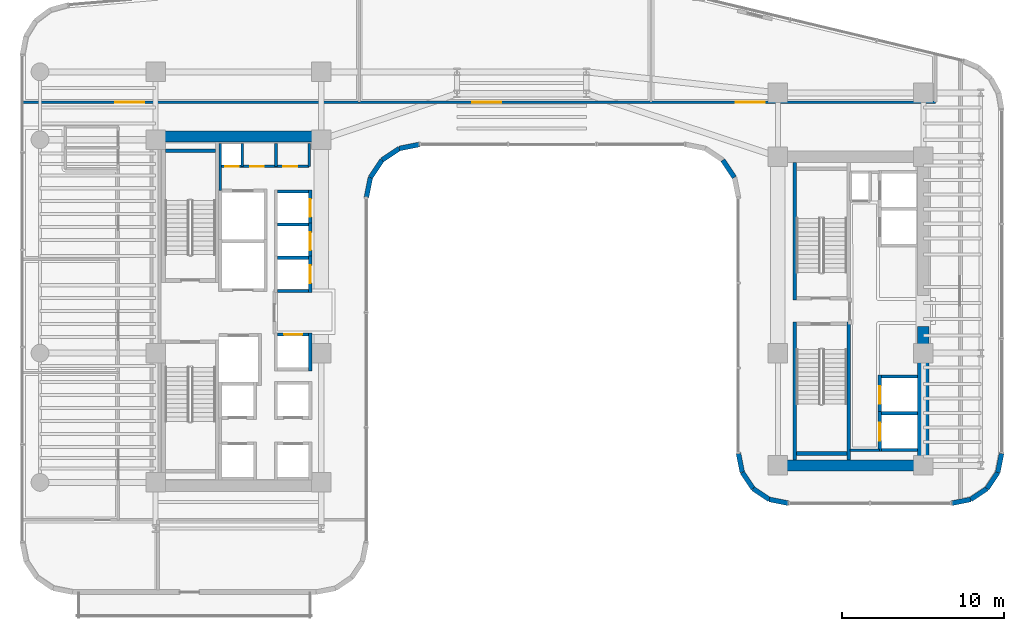
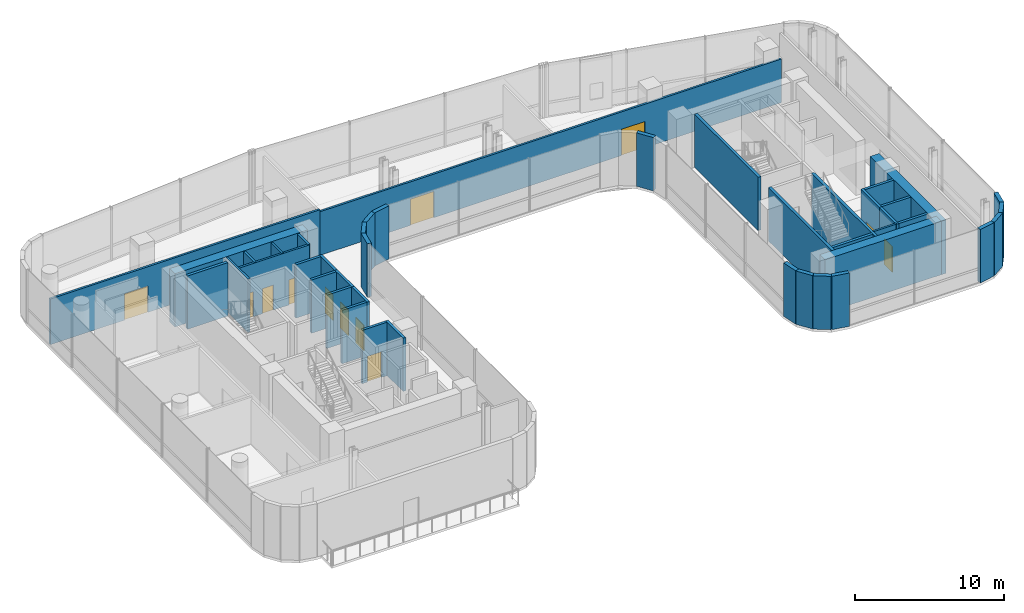
# One storey, part 26 of 32: 43 walls, 12 doors, 12 openings.
"""IFC4 building model written with IfcOpenShell, lengths in metres."""

from ifc_helpers import new_model, si_unit, direction, frame, frame_2d, origin, place, context, subcontext, project, spatial, rectangle, extrude, material, layer, layer_set, type_object, element, fill, save


model = new_model("IFC4")

# Units and contexts
model_context = context("Model", 3, precision=1e-05, world=origin(), true_north=direction((0.0, 1.0)))
body_context = subcontext(model_context, "Body", "Model", "MODEL_VIEW")
ifc_project = project(units=[si_unit("LENGTHUNIT", "METRE"), si_unit("AREAUNIT", "SQUARE_METRE"), si_unit("VOLUMEUNIT", "CUBIC_METRE"), si_unit("PLANEANGLEUNIT", "RADIAN"), si_unit("MASSUNIT", "GRAM", prefix="KILO")], contexts=[model_context])

# Site, building, storey
site_placement = place(None, origin())
site = spatial("IfcSite", under=ifc_project, at=site_placement, CompositionType="ELEMENT")
building_placement = place(site_placement, origin())
building = spatial("IfcBuilding", under=site, at=building_placement, Name="Valdorenza Pilgrim Sanctuary Tower", CompositionType="ELEMENT")
storey_placement = place(building_placement, frame((0.0, 0.0, 101.10009765625)))
storey = spatial("IfcBuildingStorey", under=building, at=storey_placement, Name="L25", CompositionType="ELEMENT", Elevation=101.10009765625)

# Wall
ifc_material_1 = material(Name="Acoustic twin-stud gypsum partition", Category="gypsum")
ifc_layer_1 = layer(ifc_material_1, 0.159912109375, Name="Acoustic twin-stud gypsum partition")
ifc_layer_set_1 = layer_set([ifc_layer_1], Name="Acoustic twin-stud gypsum partition")
wall_type_1 = type_object("IfcWallType", Name="WAL-COR-160", PredefinedType="PARTITIONING", material=ifc_layer_set_1)
wall_1_placement = place(storey_placement, frame((-18.64990234375, 7.449951171875, 0.0), z_axis=(0.0, 0.0, 1.0), x_axis=(0.0, 1.0, 0.0)))
element("IfcWall", 1, at=wall_1_placement, inside=storey, type_object=wall_type_1, Name="L25 Core A North Service West Wall", PredefinedType="PARTITIONING", context=body_context, shape_type="SweptSolid", body=[
    extrude(rectangle(XDim=2.929931640625, YDim=0.159912109375, at=frame_2d((1.46484375, 0.0))), origin(), (0.0, 0.0, 1.0), 4.35986328125),
])

# Wall, openings, doors
wall_2_placement = place(storey_placement, frame((-18.64990234375, 8.949951171875, 0.0), z_axis=(0.0, 0.0, 1.0), x_axis=(1.0, 0.0, 0.0)))
wall_2 = element("IfcWall", 2, at=wall_2_placement, inside=storey, type_object=wall_type_1, Name="L25 Core A North Service South Wall", PredefinedType="PARTITIONING", context=body_context, shape_type="SweptSolid", body=[
    extrude(rectangle(XDim=5.5, YDim=0.159912109375, at=frame_2d((2.75, 0.0))), origin(), (0.0, 0.0, 1.0), 4.35986328125),
])
opening_1_placement = place(wall_2_placement, frame((0.300048828125, 0.0, 0.0)))
opening_1 = element("IfcOpeningElement", 3, at=opening_1_placement, cuts=wall_2, Name="Opening DR-RS1", PredefinedType="OPENING", context=body_context, shape_type="SweptSolid", body=[
    extrude(rectangle(XDim=0.85009765625, YDim=2.050048828125, at=frame_2d((0.425048828125, 1.02490234375))), frame((0.0, 0.0947265625, 0.0), z_axis=(0.0, -1.0, 0.0), x_axis=(1.0, 0.0, 0.0)), (0.0, 0.0, 1.0), 0.189697265625),
])
opening_2_placement = place(wall_2_placement, frame((1.85009765625, 0.0, 0.0)))
opening_2 = element("IfcOpeningElement", 4, at=opening_2_placement, cuts=wall_2, Name="Opening DR-RS1", PredefinedType="OPENING", context=body_context, shape_type="SweptSolid", body=[
    extrude(rectangle(XDim=0.85009765625, YDim=2.050048828125, at=frame_2d((0.425048828125, 1.02490234375))), frame((0.0, 0.0947265625, 0.0), z_axis=(0.0, -1.0, 0.0), x_axis=(1.0, 0.0, 0.0)), (0.0, 0.0, 1.0), 0.189697265625),
])
opening_3_placement = place(wall_2_placement, frame((3.89990234375, 0.0, 0.0)))
opening_3 = element("IfcOpeningElement", 5, at=opening_3_placement, cuts=wall_2, Name="Opening DR-RS1", PredefinedType="OPENING", context=body_context, shape_type="SweptSolid", body=[
    extrude(rectangle(XDim=0.85009765625, YDim=2.050048828125, at=frame_2d((0.425048828125, 1.02490234375))), frame((0.0, 0.0947265625, 0.0), z_axis=(0.0, -1.0, 0.0), x_axis=(1.0, 0.0, 0.0)), (0.0, 0.0, 1.0), 0.189697265625),
])
ifc_material_2 = material(Name="Painted galvanized steel", Category="steel")
door_type_1 = type_object("IfcDoorType", Name="DR-RSR-850", OperationType="NOTDEFINED", PredefinedType="DOOR", material=ifc_material_2)
door_1_placement = place(opening_1_placement, origin())
door_1 = element("IfcDoor", 6, at=door_1_placement, inside=storey, type_object=door_type_1, Name="L25 Core Electrical and Telecom Riser Door", OperationType="SINGLE_SWING_LEFT", OverallHeight=2.050048828125, OverallWidth=0.85009765625, PredefinedType="DOOR", context=body_context, shape_type="SweptSolid", body=[
    extrude(rectangle(XDim=0.85009765625, YDim=2.050048828125, at=frame_2d((0.425048828125, 1.02490234375))), frame((0.0, 0.02490234375, 0.0), z_axis=(0.0, -1.0, 0.0), x_axis=(1.0, 0.0, 0.0)), (0.0, 0.0, 1.0), 0.050048828125),
])
fill(opening_1, door_1)
door_2_placement = place(opening_2_placement, origin())
door_2 = element("IfcDoor", 7, at=door_2_placement, inside=storey, type_object=door_type_1, Name="L25 Core Janitor and Maintenance Store Door", OperationType="SINGLE_SWING_RIGHT", OverallHeight=2.050048828125, OverallWidth=0.85009765625, PredefinedType="DOOR", context=body_context, shape_type="SweptSolid", body=[
    extrude(rectangle(XDim=0.85009765625, YDim=2.050048828125, at=frame_2d((0.425048828125, 1.02490234375))), frame((0.0, 0.02490234375, 0.0), z_axis=(0.0, -1.0, 0.0), x_axis=(1.0, 0.0, 0.0)), (0.0, 0.0, 1.0), 0.050048828125),
])
fill(opening_2, door_2)
door_3_placement = place(opening_3_placement, origin())
door_3 = element("IfcDoor", 8, at=door_3_placement, inside=storey, type_object=door_type_1, Name="L25 Guest Ice and Vending Pantry Door", OperationType="SINGLE_SWING_LEFT", OverallHeight=2.050048828125, OverallWidth=0.85009765625, PredefinedType="DOOR", context=body_context, shape_type="SweptSolid", body=[
    extrude(rectangle(XDim=0.85009765625, YDim=2.050048828125, at=frame_2d((0.425048828125, 1.02490234375))), frame((0.0, 0.02490234375, 0.0), z_axis=(0.0, -1.0, 0.0), x_axis=(1.0, 0.0, 0.0)), (0.0, 0.0, 1.0), 0.050048828125),
])
fill(opening_3, door_3)

# Walls
for number, where, z_axis, x_axis, name in (
    (9, (-13.14990234375, 8.949951171875, 0.0), (0.0, 0.0, 1.0), (0.0, 1.0, 0.0), "L25 Core A North Service East Wall"),
    (10, (-17.300048828125, 8.949951171875, 0.0), (0.0, 0.0, 1.0), (0.0, 1.0, 0.0), "L25 Core Electrical Riser Wall"),
    (11, (-15.199951171875, 8.949951171875, 0.0), (0.0, 0.0, 1.0), (0.0, 1.0, 0.0), "L25 Core A Housekeeping Split B"),
):
    element("IfcWall", number, at=place(storey_placement, frame(where, z_axis=z_axis, x_axis=x_axis)), inside=storey, type_object=wall_type_1, Name=name, PredefinedType="PARTITIONING", context=body_context, shape_type="SweptSolid", body=[
        extrude(rectangle(XDim=1.429931640625, YDim=0.159912109375, at=frame_2d((0.71484375, 0.0))), origin(), (0.0, 0.0, 1.0), 4.35986328125),
    ])
wall_3_placement = place(storey_placement, frame((20.300048828125, -8.60009765625, 0.0), z_axis=(0.0, 0.0, 1.0), x_axis=(1.0, 0.0, 0.0)))
element("IfcWall", 12, at=wall_3_placement, inside=storey, type_object=wall_type_1, Name="L25 Core B Lift Hall South End Wall", PredefinedType="PARTITIONING", context=body_context, shape_type="SweptSolid", body=[
    extrude(rectangle(XDim=1.820068359375, YDim=0.159912109375, at=frame_2d((0.91015625, 0.0))), origin(), (0.0, 0.0, 1.0), 4.35986328125),
])

# Wall, opening, door
wall_4_placement = place(storey_placement, frame((-30.889892578125, 12.919921875, 0.0), z_axis=(0.0, 0.0, 1.0), x_axis=(1.0, 0.0, 0.0)))
wall_4 = element("IfcWall", 13, at=wall_4_placement, inside=storey, type_object=wall_type_1, Name="L25 Sky North Salon Wall", PredefinedType="PARTITIONING", context=body_context, shape_type="SweptSolid", body=[
    extrude(rectangle(XDim=20.83984375, YDim=0.159912109375, at=frame_2d((10.419921875, 0.0))), origin(), (0.0, 0.0, 1.0), 3.73388671875),
])
opening_4_placement = place(wall_4_placement, frame((5.739990234375, 0.0, 0.0)))
opening_4 = element("IfcOpeningElement", 14, at=opening_4_placement, cuts=wall_4, Name="Opening DR-HL1", PredefinedType="OPENING", context=body_context, shape_type="SweptSolid", body=[
    extrude(rectangle(XDim=1.800048828125, YDim=2.14990234375, at=frame_2d((0.89990234375, 1.074951171875))), frame((0.0, 0.0947265625, 0.0), z_axis=(0.0, -1.0, 0.0), x_axis=(1.0, 0.0, 0.0)), (0.0, 0.0, 1.0), 0.189697265625),
])
ifc_material_3 = material(Name="Acoustic oak and vision-glass double door", Category="glass")
door_type_2 = type_object("IfcDoorType", Name="DR-HALL-1800", OperationType="NOTDEFINED", PredefinedType="DOOR", material=ifc_material_3)
door_4_placement = place(opening_4_placement, frame((1.800048828125, 0.0, 0.0), z_axis=(0.0, 0.0, 1.0), x_axis=(-1.0, 0.0, 0.0)))
door_4 = element("IfcDoor", 15, at=door_4_placement, inside=storey, type_object=door_type_2, Name="L25 Reading Library Salon Door", OperationType="DOUBLE_DOOR_SINGLE_SWING", OverallHeight=2.14990234375, OverallWidth=1.800048828125, PredefinedType="DOOR", context=body_context, shape_type="SweptSolid", body=[
    extrude(rectangle(XDim=1.800048828125, YDim=2.14990234375, at=frame_2d((0.89990234375, 1.074951171875))), frame((0.0, 0.02490234375, 0.0), z_axis=(0.0, -1.0, 0.0), x_axis=(1.0, 0.0, 0.0)), (0.0, 0.0, 1.0), 0.050048828125),
])
fill(opening_4, door_4)

# Wall, openings, doors
wall_5_placement = place(storey_placement, frame((-10.050048828125, 12.919921875, 0.0), z_axis=(0.0, 0.0, 1.0), x_axis=(1.0, 0.0, 0.0)))
wall_5 = element("IfcWall", 16, at=wall_5_placement, inside=storey, type_object=wall_type_1, Name="L25 L25 Knuckle Hall Wall", PredefinedType="PARTITIONING", context=body_context, shape_type="SweptSolid", body=[
    extrude(rectangle(XDim=35.650146484375, YDim=0.159912109375, at=frame_2d((17.8251953125, 0.0))), origin(), (0.0, 0.0, 1.0), 3.56591796875),
])
opening_5_placement = place(wall_5_placement, frame((7.0, 0.0, 0.0)))
opening_5 = element("IfcOpeningElement", 17, at=opening_5_placement, cuts=wall_5, Name="Opening DR-HL1", PredefinedType="OPENING", context=body_context, shape_type="SweptSolid", body=[
    extrude(rectangle(XDim=1.800048828125, YDim=2.14990234375, at=frame_2d((0.89990234375, 1.074951171875))), frame((0.0, 0.0947265625, 0.0), z_axis=(0.0, -1.0, 0.0), x_axis=(1.0, 0.0, 0.0)), (0.0, 0.0, 1.0), 0.189697265625),
])
opening_6_placement = place(wall_5_placement, frame((23.300048828125, 0.0, 0.0)))
opening_6 = element("IfcOpeningElement", 18, at=opening_6_placement, cuts=wall_5, Name="Opening DR-HL1", PredefinedType="OPENING", context=body_context, shape_type="SweptSolid", body=[
    extrude(rectangle(XDim=1.800048828125, YDim=2.14990234375, at=frame_2d((0.89990234375, 1.074951171875))), frame((0.0, 0.0947265625, 0.0), z_axis=(0.0, -1.0, 0.0), x_axis=(1.0, 0.0, 0.0)), (0.0, 0.0, 1.0), 0.189697265625),
])
door_5_placement = place(opening_5_placement, frame((1.800048828125, 0.0, 0.0), z_axis=(0.0, 0.0, 1.0), x_axis=(-1.0, 0.0, 0.0)))
door_5 = element("IfcDoor", 19, at=door_5_placement, inside=storey, type_object=door_type_2, Name="L25 L25 Heritage Lecture Hall Door", OperationType="DOUBLE_DOOR_SINGLE_SWING", OverallHeight=2.14990234375, OverallWidth=1.800048828125, PredefinedType="DOOR", context=body_context, shape_type="SweptSolid", body=[
    extrude(rectangle(XDim=1.800048828125, YDim=2.14990234375, at=frame_2d((0.89990234375, 1.074951171875))), frame((0.0, 0.02490234375, 0.0), z_axis=(0.0, -1.0, 0.0), x_axis=(1.0, 0.0, 0.0)), (0.0, 0.0, 1.0), 0.050048828125),
])
fill(opening_5, door_5)
door_6_placement = place(opening_6_placement, origin())
door_6 = element("IfcDoor", 20, at=door_6_placement, inside=storey, type_object=door_type_2, Name="L25 L25 Symposium Salon Door", OperationType="DOUBLE_DOOR_SINGLE_SWING", OverallHeight=2.14990234375, OverallWidth=1.800048828125, PredefinedType="DOOR", context=body_context, shape_type="SweptSolid", body=[
    extrude(rectangle(XDim=1.800048828125, YDim=2.14990234375, at=frame_2d((0.89990234375, 1.074951171875))), frame((0.0, 0.02490234375, 0.0), z_axis=(0.0, -1.0, 0.0), x_axis=(1.0, 0.0, 0.0)), (0.0, 0.0, 1.0), 0.050048828125),
])
fill(opening_6, door_6)

# Walls
ifc_material_4 = material(Name="Concrete C60/75", Category="concrete")
ifc_layer_2 = layer(ifc_material_4, 0.699951171875, Name="Concrete C60/75")
ifc_layer_set_2 = layer_set([ifc_layer_2], Name="Concrete C60/75")
wall_type_2 = type_object("IfcWallType", Name="WAL-COR-700", PredefinedType="SHEAR", material=ifc_layer_set_2)
wall_6_placement = place(storey_placement, frame((-22.64990234375, 10.800048828125, 0.0), z_axis=(0.0, 0.0, 1.0), x_axis=(1.0, 0.0, 0.0)))
element("IfcWall", 21, at=wall_6_placement, inside=storey, type_object=wall_type_2, Name="L25 Split Core A Shear Wall N", PredefinedType="SHEAR", context=body_context, shape_type="SweptSolid", body=[
    extrude(rectangle(XDim=10.25, YDim=0.699951171875, at=frame_2d((5.125, 0.0))), origin(), (0.0, 0.0, 1.0), 4.35986328125),
])
wall_7_placement = place(storey_placement, frame((24.85009765625, -9.89990234375, 0.0), z_axis=(0.0, 0.0, 1.0), x_axis=(0.0, 1.0, 0.0)))
element("IfcWall", 22, at=wall_7_placement, inside=storey, type_object=wall_type_2, Name="L25 Split Core B Shear Wall ES", PredefinedType="SHEAR", context=body_context, shape_type="SweptSolid", body=[
    extrude(rectangle(XDim=8.949951171875, YDim=0.699951171875, at=frame_2d((4.47509765625, 0.0))), origin(), (0.0, 0.0, 1.0), 4.35986328125),
])
wall_8_placement = place(storey_placement, frame((15.85009765625, -9.550048828125, 0.0), z_axis=(0.0, 0.0, 1.0), x_axis=(1.0, 0.0, 0.0)))
element("IfcWall", 23, at=wall_8_placement, inside=storey, type_object=wall_type_2, Name="L25 Split Core B Shear Wall S", PredefinedType="SHEAR", context=body_context, shape_type="SweptSolid", body=[
    extrude(rectangle(XDim=9.0, YDim=0.699951171875, at=frame_2d((4.5, 0.0))), origin(), (0.0, 0.0, 1.0), 4.35986328125),
])
ifc_material_5 = material(Name="Honed travertine limestone", Category="masonry")
ifc_layer_3 = layer(ifc_material_5, 0.300048828125, Name="Honed travertine limestone")
ifc_layer_set_3 = layer_set([ifc_layer_3], Name="Honed travertine limestone")
wall_type_3 = type_object("IfcWallType", Name="WAL-EXT-300", PredefinedType="SOLIDWALL", material=ifc_layer_set_3)
wall_9_placement = place(storey_placement, frame((29.68994140625, -8.789306640625, 0.0), z_axis=(0.0, 0.0, 1.0), x_axis=(-0.194996050505, -0.980804027463, 0.0)))
element("IfcWall", 24, at=wall_9_placement, inside=storey, type_object=wall_type_3, Name="L25 Rounded Wind-Corner Stone Pier 22", PredefinedType="SOLIDWALL", context=body_context, shape_type="SweptSolid", body=[
    extrude(rectangle(XDim=1.2158203125, YDim=0.300048828125, at=frame_2d((0.60791015625, 0.0))), origin(), (0.0, 0.0, 1.0), 4.35986328125),
])
for number, where, z_axis, x_axis, name in (
    (25, (29.452880859375, -9.981689453125, 0.0), (0.0, 0.0, 1.0), (-0.555635100982, -0.831426265255, 0.0), "L25 Rounded Wind-Corner Stone Pier 23"),
    (26, (28.783447265625, -10.9833984375, 0.0), (0.0, 0.0, 1.0), (-0.831426265255, -0.555635100982, 0.0), "L25 Rounded Wind-Corner Stone Pier 24"),
):
    element("IfcWall", number, at=place(storey_placement, frame(where, z_axis=z_axis, x_axis=x_axis)), inside=storey, type_object=wall_type_3, Name=name, PredefinedType="SOLIDWALL", context=body_context, shape_type="SweptSolid", body=[
        extrude(rectangle(XDim=1.204833984375, YDim=0.300048828125, at=frame_2d((0.6025390625, 0.0))), origin(), (0.0, 0.0, 1.0), 4.35986328125),
    ])
wall_10_placement = place(storey_placement, frame((27.78173828125, -11.65283203125, 0.0), z_axis=(0.0, 0.0, 1.0), x_axis=(-0.980811661072, -0.194957650543, 0.0)))
element("IfcWall", 27, at=wall_10_placement, inside=storey, type_object=wall_type_3, Name="L25 Rounded Wind-Corner Stone Pier 25", PredefinedType="SOLIDWALL", context=body_context, shape_type="SweptSolid", body=[
    extrude(rectangle(XDim=1.216064453125, YDim=0.300048828125, at=frame_2d((0.60791015625, 0.0))), origin(), (0.0, 0.0, 1.0), 4.35986328125),
])
wall_11_placement = place(storey_placement, frame((16.5107421875, -11.889892578125, 0.0), z_axis=(0.0, 0.0, 1.0), x_axis=(-0.980804027463, 0.194996050505, 0.0)))
element("IfcWall", 28, at=wall_11_placement, inside=storey, type_object=wall_type_3, Name="L25 Rounded Wind-Corner Stone Pier 27", PredefinedType="SOLIDWALL", context=body_context, shape_type="SweptSolid", body=[
    extrude(rectangle(XDim=1.2158203125, YDim=0.300048828125, at=frame_2d((0.60791015625, 0.0))), origin(), (0.0, 0.0, 1.0), 4.35986328125),
])
for number, where, z_axis, x_axis, name in (
    (29, (15.318359375, -11.65283203125, 0.0), (0.0, 0.0, 1.0), (-0.831426265255, 0.555635100982, 0.0), "L25 Rounded Wind-Corner Stone Pier 28"),
    (30, (14.316650390625, -10.9833984375, 0.0), (0.0, 0.0, 1.0), (-0.555635100982, 0.831426265255, 0.0), "L25 Rounded Wind-Corner Stone Pier 29"),
):
    element("IfcWall", number, at=place(storey_placement, frame(where, z_axis=z_axis, x_axis=x_axis)), inside=storey, type_object=wall_type_3, Name=name, PredefinedType="SOLIDWALL", context=body_context, shape_type="SweptSolid", body=[
        extrude(rectangle(XDim=1.204833984375, YDim=0.300048828125, at=frame_2d((0.6025390625, 0.0))), origin(), (0.0, 0.0, 1.0), 4.35986328125),
    ])
wall_12_placement = place(storey_placement, frame((13.647216796875, -9.981689453125, 0.0), z_axis=(0.0, 0.0, 1.0), x_axis=(-0.195189223115, 0.980765602568, 0.0)))
element("IfcWall", 31, at=wall_12_placement, inside=storey, type_object=wall_type_3, Name="L25 Rounded Wind-Corner Stone Pier 30", PredefinedType="SOLIDWALL", context=body_context, shape_type="SweptSolid", body=[
    extrude(rectangle(XDim=1.2158203125, YDim=0.300048828125, at=frame_2d((0.60791015625, 0.0))), origin(), (0.0, 0.0, 1.0), 4.35986328125),
])
wall_13_placement = place(storey_placement, frame((13.159912109375, 8.267578125, 0.0), z_axis=(0.0, 0.0, 1.0), x_axis=(-0.555615398575, 0.831439431869, 0.0)))
element("IfcWall", 32, at=wall_13_placement, inside=storey, type_object=wall_type_3, Name="L25 Rounded Wind-Corner Stone Pier 33", PredefinedType="SOLIDWALL", context=body_context, shape_type="SweptSolid", body=[
    extrude(rectangle(XDim=1.292236328125, YDim=0.300048828125, at=frame_2d((0.64599609375, 0.0))), origin(), (0.0, 0.0, 1.0), 4.35986328125),
])
wall_14_placement = place(storey_placement, frame((-6.310791015625, 10.31005859375, 0.0), z_axis=(0.0, 0.0, 1.0), x_axis=(-0.980778058848, -0.195126623715, 0.0)))
element("IfcWall", 33, at=wall_14_placement, inside=storey, type_object=wall_type_3, Name="L25 Rounded Wind-Corner Stone Pier 37", PredefinedType="SOLIDWALL", context=body_context, shape_type="SweptSolid", body=[
    extrude(rectangle(XDim=1.28125, YDim=0.300048828125, at=frame_2d((0.640625, 0.0))), origin(), (0.0, 0.0, 1.0), 4.35986328125),
])
wall_15_placement = place(storey_placement, frame((-7.5673828125, 10.06005859375, 0.0), z_axis=(0.0, 0.0, 1.0), x_axis=(-0.831497739511, -0.555528135371, 0.0)))
element("IfcWall", 34, at=wall_15_placement, inside=storey, type_object=wall_type_3, Name="L25 Rounded Wind-Corner Stone Pier 38", PredefinedType="SOLIDWALL", context=body_context, shape_type="SweptSolid", body=[
    extrude(rectangle(XDim=1.29248046875, YDim=0.300048828125, at=frame_2d((0.646240234375, 0.0))), origin(), (0.0, 0.0, 1.0), 4.35986328125),
])
wall_16_placement = place(storey_placement, frame((-8.64208984375, 9.342041015625, 0.0), z_axis=(0.0, 0.0, 1.0), x_axis=(-0.555615398575, -0.831439431869, 0.0)))
element("IfcWall", 35, at=wall_16_placement, inside=storey, type_object=wall_type_3, Name="L25 Rounded Wind-Corner Stone Pier 39", PredefinedType="SOLIDWALL", context=body_context, shape_type="SweptSolid", body=[
    extrude(rectangle(XDim=1.292236328125, YDim=0.300048828125, at=frame_2d((0.64599609375, 0.0))), origin(), (0.0, 0.0, 1.0), 4.35986328125),
])
wall_17_placement = place(storey_placement, frame((-9.360107421875, 8.267578125, 0.0), z_axis=(0.0, 0.0, 1.0), x_axis=(-0.195090163074, -0.980785312019, 0.0)))
element("IfcWall", 36, at=wall_17_placement, inside=storey, type_object=wall_type_3, Name="L25 Rounded Wind-Corner Stone Pier 40", PredefinedType="SOLIDWALL", context=body_context, shape_type="SweptSolid", body=[
    extrude(rectangle(XDim=1.281494140625, YDim=0.300048828125, at=frame_2d((0.640625, 0.0))), origin(), (0.0, 0.0, 1.0), 4.35986328125),
])

# Wall, opening, door
ifc_material_6 = material(Name="Autoclaved aerated concrete blockwork", Category="masonry")
ifc_layer_4 = layer(ifc_material_6, 0.199951171875, Name="Autoclaved aerated concrete blockwork")
ifc_layer_set_4 = layer_set([ifc_layer_4], Name="Autoclaved aerated concrete blockwork")
wall_type_4 = type_object("IfcWallType", Name="WAL-SHF-200", PredefinedType="MOVABLE", material=ifc_layer_set_4)
wall_18_placement = place(storey_placement, frame((22.14990234375, -8.699951171875, 0.0), z_axis=(0.0, 0.0, 1.0), x_axis=(0.0, 1.0, 0.0)))
wall_18 = element("IfcWall", 37, at=wall_18_placement, inside=storey, type_object=wall_type_4, Name="L25 Lift PL-03 Hoistway Wall West", PredefinedType="MOVABLE", context=body_context, shape_type="SweptSolid", body=[
    extrude(rectangle(XDim=2.474853515625, YDim=0.199951171875, at=frame_2d((1.2373046875, 0.0))), origin(), (0.0, 0.0, 1.0), 4.35986328125),
])
opening_7_placement = place(wall_18_placement, frame((0.6875, 0.0, 0.0)))
opening_7 = element("IfcOpeningElement", 38, at=opening_7_placement, cuts=wall_18, Name="Opening LD-01", PredefinedType="OPENING", context=body_context, shape_type="SweptSolid", body=[
    extrude(rectangle(XDim=1.10009765625, YDim=2.10009765625, at=frame_2d((0.550048828125, 1.050048828125))), frame((0.0, 0.11474609375, 0.0), z_axis=(0.0, -1.0, 0.0), x_axis=(1.0, 0.0, 0.0)), (0.0, 0.0, 1.0), 0.229736328125),
])
ifc_material_7 = material(Name="Brushed stainless steel Grade 316", Category="steel")
door_type_3 = type_object("IfcDoorType", Name="DR-LFT-1100", OperationType="DOUBLE_DOOR_SLIDING", PredefinedType="DOOR", material=ifc_material_7)
door_7_placement = place(opening_7_placement, origin())
door_7 = element("IfcDoor", 39, at=door_7_placement, inside=storey, type_object=door_type_3, Name="L25 Lift PL-03 Sliding Landing Door", OperationType="DOUBLE_DOOR_SLIDING", OverallHeight=2.10009765625, OverallWidth=1.10009765625, PredefinedType="DOOR", context=body_context, shape_type="SweptSolid", body=[
    extrude(rectangle(XDim=1.10009765625, YDim=2.10009765625, at=frame_2d((0.550048828125, 1.050048828125))), frame((0.0, 0.02490234375, 0.0), z_axis=(0.0, -1.0, 0.0), x_axis=(1.0, 0.0, 0.0)), (0.0, 0.0, 1.0), 0.050048828125),
])
fill(opening_7, door_7)

# Walls
for number, where, z_axis, x_axis, name in (
    (40, (22.25, -8.60009765625, 0.0), (0.0, 0.0, 1.0), (1.0, 0.0, 0.0), "L25 Lift PL-03 Hoistway Wall South"),
    (41, (22.25, -6.324951171875, 0.0), (0.0, 0.0, 1.0), (1.0, 0.0, 0.0), "L25 Lift PL-03 Hoistway Wall North"),
):
    element("IfcWall", number, at=place(storey_placement, frame(where, z_axis=z_axis, x_axis=x_axis)), inside=storey, type_object=wall_type_4, Name=name, PredefinedType="MOVABLE", context=body_context, shape_type="SweptSolid", body=[
        extrude(rectangle(XDim=2.22998046875, YDim=0.199951171875, at=frame_2d((1.114990234375, 0.0))), origin(), (0.0, 0.0, 1.0), 4.35986328125),
    ])

# Wall, opening, door
wall_19_placement = place(storey_placement, frame((22.14990234375, -6.425048828125, 0.0), z_axis=(0.0, 0.0, 1.0), x_axis=(0.0, 1.0, 0.0)))
wall_19 = element("IfcWall", 42, at=wall_19_placement, inside=storey, type_object=wall_type_4, Name="L25 Lift PL-04 Hoistway Wall West", PredefinedType="MOVABLE", context=body_context, shape_type="SweptSolid", body=[
    extrude(rectangle(XDim=2.47509765625, YDim=0.199951171875, at=frame_2d((1.237548828125, 0.0))), origin(), (0.0, 0.0, 1.0), 4.35986328125),
])
opening_8_placement = place(wall_19_placement, frame((0.6875, 0.0, 0.0)))
opening_8 = element("IfcOpeningElement", 43, at=opening_8_placement, cuts=wall_19, Name="Opening LD-01", PredefinedType="OPENING", context=body_context, shape_type="SweptSolid", body=[
    extrude(rectangle(XDim=1.10009765625, YDim=2.10009765625, at=frame_2d((0.550048828125, 1.050048828125))), frame((0.0, 0.11474609375, 0.0), z_axis=(0.0, -1.0, 0.0), x_axis=(1.0, 0.0, 0.0)), (0.0, 0.0, 1.0), 0.229736328125),
])
door_8_placement = place(opening_8_placement, origin())
door_8 = element("IfcDoor", 44, at=door_8_placement, inside=storey, type_object=door_type_3, Name="L25 Lift PL-04 Sliding Landing Door", OperationType="DOUBLE_DOOR_SLIDING", OverallHeight=2.10009765625, OverallWidth=1.10009765625, PredefinedType="DOOR", context=body_context, shape_type="SweptSolid", body=[
    extrude(rectangle(XDim=1.10009765625, YDim=2.10009765625, at=frame_2d((0.550048828125, 1.050048828125))), frame((0.0, 0.02490234375, 0.0), z_axis=(0.0, -1.0, 0.0), x_axis=(1.0, 0.0, 0.0)), (0.0, 0.0, 1.0), 0.050048828125),
])
fill(opening_8, door_8)

# Wall
wall_20_placement = place(storey_placement, frame((22.25, -4.050048828125, 0.0), z_axis=(0.0, 0.0, 1.0), x_axis=(1.0, 0.0, 0.0)))
element("IfcWall", 45, at=wall_20_placement, inside=storey, type_object=wall_type_4, Name="L25 Lift PL-04 Hoistway Wall North", PredefinedType="MOVABLE", context=body_context, shape_type="SweptSolid", body=[
    extrude(rectangle(XDim=2.22998046875, YDim=0.199951171875, at=frame_2d((1.114990234375, 0.0))), origin(), (0.0, 0.0, 1.0), 4.35986328125),
])

# Wall, opening, door
wall_21_placement = place(storey_placement, frame((-13.080078125, 1.14990234375, 0.0), z_axis=(0.0, 0.0, 1.0), x_axis=(0.0, 1.0, 0.0)))
wall_21 = element("IfcWall", 46, at=wall_21_placement, inside=storey, type_object=wall_type_4, Name="L25 Lift PL-06 Hoistway Wall East", PredefinedType="MOVABLE", context=body_context, shape_type="SweptSolid", body=[
    extrude(rectangle(XDim=2.25, YDim=0.199951171875, at=frame_2d((1.125, 0.0))), origin(), (0.0, 0.0, 1.0), 4.35986328125),
])
opening_9_placement = place(wall_21_placement, frame((0.574951171875, 0.0, 0.0)))
opening_9 = element("IfcOpeningElement", 47, at=opening_9_placement, cuts=wall_21, Name="Opening LD-01", PredefinedType="OPENING", context=body_context, shape_type="SweptSolid", body=[
    extrude(rectangle(XDim=1.10009765625, YDim=2.10009765625, at=frame_2d((0.550048828125, 1.050048828125))), frame((0.0, 0.11474609375, 0.0), z_axis=(0.0, -1.0, 0.0), x_axis=(1.0, 0.0, 0.0)), (0.0, 0.0, 1.0), 0.229736328125),
])
door_9_placement = place(opening_9_placement, origin())
door_9 = element("IfcDoor", 48, at=door_9_placement, inside=storey, type_object=door_type_3, Name="L25 Lift PL-06 Sliding Landing Door", OperationType="DOUBLE_DOOR_SLIDING", OverallHeight=2.10009765625, OverallWidth=1.10009765625, PredefinedType="DOOR", context=body_context, shape_type="SweptSolid", body=[
    extrude(rectangle(XDim=1.10009765625, YDim=2.10009765625, at=frame_2d((0.550048828125, 1.050048828125))), frame((0.0, 0.02490234375, 0.0), z_axis=(0.0, -1.0, 0.0), x_axis=(1.0, 0.0, 0.0)), (0.0, 0.0, 1.0), 0.050048828125),
])
fill(opening_9, door_9)

# Wall
wall_22_placement = place(storey_placement, frame((-15.10009765625, 1.25, 0.0), z_axis=(0.0, 0.0, 1.0), x_axis=(1.0, 0.0, 0.0)))
element("IfcWall", 49, at=wall_22_placement, inside=storey, type_object=wall_type_4, Name="L25 Lift PL-06 Hoistway Wall South", PredefinedType="MOVABLE", context=body_context, shape_type="SweptSolid", body=[
    extrude(rectangle(XDim=1.920166015625, YDim=0.199951171875, at=frame_2d((0.9599609375, 0.0))), origin(), (0.0, 0.0, 1.0), 4.35986328125),
])

# Wall, opening, door
wall_23_placement = place(storey_placement, frame((-13.080078125, 3.199951171875, 0.0), z_axis=(0.0, 0.0, 1.0), x_axis=(0.0, 1.0, 0.0)))
wall_23 = element("IfcWall", 50, at=wall_23_placement, inside=storey, type_object=wall_type_4, Name="L25 Lift PL-09 Hoistway Wall East", PredefinedType="MOVABLE", context=body_context, shape_type="SweptSolid", body=[
    extrude(rectangle(XDim=2.25, YDim=0.199951171875, at=frame_2d((1.125, 0.0))), origin(), (0.0, 0.0, 1.0), 4.35986328125),
])
opening_10_placement = place(wall_23_placement, frame((0.574951171875, 0.0, 0.0)))
opening_10 = element("IfcOpeningElement", 51, at=opening_10_placement, cuts=wall_23, Name="Opening LD-01", PredefinedType="OPENING", context=body_context, shape_type="SweptSolid", body=[
    extrude(rectangle(XDim=1.10009765625, YDim=2.10009765625, at=frame_2d((0.550048828125, 1.050048828125))), frame((0.0, 0.11474609375, 0.0), z_axis=(0.0, -1.0, 0.0), x_axis=(1.0, 0.0, 0.0)), (0.0, 0.0, 1.0), 0.229736328125),
])
door_10_placement = place(opening_10_placement, origin())
door_10 = element("IfcDoor", 52, at=door_10_placement, inside=storey, type_object=door_type_3, Name="L25 Lift PL-09 Sliding Landing Door", OperationType="DOUBLE_DOOR_SLIDING", OverallHeight=2.10009765625, OverallWidth=1.10009765625, PredefinedType="DOOR", context=body_context, shape_type="SweptSolid", body=[
    extrude(rectangle(XDim=1.10009765625, YDim=2.10009765625, at=frame_2d((0.550048828125, 1.050048828125))), frame((0.0, 0.02490234375, 0.0), z_axis=(0.0, -1.0, 0.0), x_axis=(1.0, 0.0, 0.0)), (0.0, 0.0, 1.0), 0.050048828125),
])
fill(opening_10, door_10)

# Walls
for number, where, z_axis, x_axis, name in (
    (53, (-15.10009765625, 3.300048828125, 0.0), (0.0, 0.0, 1.0), (1.0, 0.0, 0.0), "L25 Lift PL-09 Hoistway Wall South"),
    (54, (-15.10009765625, 5.35009765625, 0.0), (0.0, 0.0, 1.0), (1.0, 0.0, 0.0), "L25 Lift PL-09 Hoistway Wall North"),
):
    element("IfcWall", number, at=place(storey_placement, frame(where, z_axis=z_axis, x_axis=x_axis)), inside=storey, type_object=wall_type_4, Name=name, PredefinedType="MOVABLE", context=body_context, shape_type="SweptSolid", body=[
        extrude(rectangle(XDim=1.920166015625, YDim=0.199951171875, at=frame_2d((0.9599609375, 0.0))), origin(), (0.0, 0.0, 1.0), 4.35986328125),
    ])

# Wall, opening, door
wall_24_placement = place(storey_placement, frame((-13.080078125, 5.25, 0.0), z_axis=(0.0, 0.0, 1.0), x_axis=(0.0, 1.0, 0.0)))
wall_24 = element("IfcWall", 55, at=wall_24_placement, inside=storey, type_object=wall_type_4, Name="L25 Lift PL-10 Hoistway Wall East", PredefinedType="MOVABLE", context=body_context, shape_type="SweptSolid", body=[
    extrude(rectangle(XDim=2.25, YDim=0.199951171875, at=frame_2d((1.125, 0.0))), origin(), (0.0, 0.0, 1.0), 4.35986328125),
])
opening_11_placement = place(wall_24_placement, frame((0.574951171875, 0.0, 0.0)))
opening_11 = element("IfcOpeningElement", 56, at=opening_11_placement, cuts=wall_24, Name="Opening LD-01", PredefinedType="OPENING", context=body_context, shape_type="SweptSolid", body=[
    extrude(rectangle(XDim=1.10009765625, YDim=2.10009765625, at=frame_2d((0.550048828125, 1.050048828125))), frame((0.0, 0.11474609375, 0.0), z_axis=(0.0, -1.0, 0.0), x_axis=(1.0, 0.0, 0.0)), (0.0, 0.0, 1.0), 0.229736328125),
])
door_11_placement = place(opening_11_placement, origin())
door_11 = element("IfcDoor", 57, at=door_11_placement, inside=storey, type_object=door_type_3, Name="L25 Lift PL-10 Sliding Landing Door", OperationType="DOUBLE_DOOR_SLIDING", OverallHeight=2.10009765625, OverallWidth=1.10009765625, PredefinedType="DOOR", context=body_context, shape_type="SweptSolid", body=[
    extrude(rectangle(XDim=1.10009765625, YDim=2.10009765625, at=frame_2d((0.550048828125, 1.050048828125))), frame((0.0, 0.02490234375, 0.0), z_axis=(0.0, -1.0, 0.0), x_axis=(1.0, 0.0, 0.0)), (0.0, 0.0, 1.0), 0.050048828125),
])
fill(opening_11, door_11)

# Walls
wall_25_placement = place(storey_placement, frame((-15.10009765625, 7.39990234375, 0.0), z_axis=(0.0, 0.0, 1.0), x_axis=(1.0, 0.0, 0.0)))
element("IfcWall", 58, at=wall_25_placement, inside=storey, type_object=wall_type_4, Name="L25 Lift PL-10 Hoistway Wall North", PredefinedType="MOVABLE", context=body_context, shape_type="SweptSolid", body=[
    extrude(rectangle(XDim=1.920166015625, YDim=0.199951171875, at=frame_2d((0.9599609375, 0.0))), origin(), (0.0, 0.0, 1.0), 4.35986328125),
])
wall_26_placement = place(storey_placement, frame((-13.080078125, -3.699951171875, 0.0), z_axis=(0.0, 0.0, 1.0), x_axis=(0.0, 1.0, 0.0)))
element("IfcWall", 59, at=wall_26_placement, inside=storey, type_object=wall_type_4, Name="L25 Lift PL-12 Hoistway Wall East", PredefinedType="MOVABLE", context=body_context, shape_type="SweptSolid", body=[
    extrude(rectangle(XDim=2.349853515625, YDim=0.199951171875, at=frame_2d((1.1748046875, 0.0))), origin(), (0.0, 0.0, 1.0), 4.35986328125),
])

# Wall, opening, door
wall_27_placement = place(storey_placement, frame((-15.10009765625, -1.449951171875, 0.0), z_axis=(0.0, 0.0, 1.0), x_axis=(1.0, 0.0, 0.0)))
wall_27 = element("IfcWall", 60, at=wall_27_placement, inside=storey, type_object=wall_type_4, Name="L25 Lift PL-12 Hoistway Wall North", PredefinedType="MOVABLE", context=body_context, shape_type="SweptSolid", body=[
    extrude(rectangle(XDim=1.920166015625, YDim=0.199951171875, at=frame_2d((0.9599609375, 0.0))), origin(), (0.0, 0.0, 1.0), 4.35986328125),
])
opening_12_placement = place(wall_27_placement, frame((0.409912109375, 0.0, 0.0)))
opening_12 = element("IfcOpeningElement", 61, at=opening_12_placement, cuts=wall_27, Name="Opening LD-01", PredefinedType="OPENING", context=body_context, shape_type="SweptSolid", body=[
    extrude(rectangle(XDim=1.10009765625, YDim=2.10009765625, at=frame_2d((0.550048828125, 1.050048828125))), frame((0.0, 0.11474609375, 0.0), z_axis=(0.0, -1.0, 0.0), x_axis=(1.0, 0.0, 0.0)), (0.0, 0.0, 1.0), 0.229736328125),
])
door_12_placement = place(opening_12_placement, origin())
door_12 = element("IfcDoor", 62, at=door_12_placement, inside=storey, type_object=door_type_3, Name="L25 Lift PL-12 Sliding Landing Door", OperationType="DOUBLE_DOOR_SLIDING", OverallHeight=2.10009765625, OverallWidth=1.10009765625, PredefinedType="DOOR", context=body_context, shape_type="SweptSolid", body=[
    extrude(rectangle(XDim=1.10009765625, YDim=2.10009765625, at=frame_2d((0.550048828125, 1.050048828125))), frame((0.0, 0.02490234375, 0.0), z_axis=(0.0, -1.0, 0.0), x_axis=(1.0, 0.0, 0.0)), (0.0, 0.0, 1.0), 0.050048828125),
])
fill(opening_12, door_12)

# Walls
ifc_material_8 = material(Name="Concrete C40/50", Category="concrete")
ifc_layer_5 = layer(ifc_material_8, 0.219970703125, Name="Concrete C40/50")
ifc_layer_set_5 = layer_set([ifc_layer_5], Name="Concrete C40/50")
wall_type_5 = type_object("IfcWallType", Name="WAL-STR-SHF-220", PredefinedType="SHEAR", material=ifc_layer_set_5)
wall_28_placement = place(storey_placement, frame((-22.050048828125, 9.909912109375, 0.0), z_axis=(0.0, 0.0, 1.0), x_axis=(1.0, 0.0, 0.0)))
element("IfcWall", 63, at=wall_28_placement, inside=storey, type_object=wall_type_5, Name="L25 ST-A1 Structural Stairwell Wall N", PredefinedType="SHEAR", context=body_context, shape_type="SweptSolid", body=[
    extrude(rectangle(XDim=3.110107421875, YDim=0.219970703125, at=frame_2d((1.55517578125, 0.0))), origin(), (0.0, 0.0, 1.0), 4.35986328125),
])
for number, where, z_axis, x_axis, name in (
    (64, (16.889892578125, 0.679931640625, 0.0), (0.0, 0.0, 1.0), (0.0, 1.0, 0.0), "L25 ST-B1 Structural Stairwell Wall W"),
    (65, (16.889892578125, -9.199951171875, 0.0), (0.0, 0.0, 1.0), (0.0, 1.0, 0.0), "L25 ST-B2 Structural Stairwell Wall W"),
    (66, (20.219970703125, -9.199951171875, 0.0), (0.0, 0.0, 1.0), (0.0, 1.0, 0.0), "L25 ST-B2 Structural Stairwell Wall E"),
):
    element("IfcWall", number, at=place(storey_placement, frame(where, z_axis=z_axis, x_axis=x_axis)), inside=storey, type_object=wall_type_5, Name=name, PredefinedType="SHEAR", context=body_context, shape_type="SweptSolid", body=[
        extrude(rectangle(XDim=8.52001953125, YDim=0.219970703125, at=frame_2d((4.260009765625, 0.0))), origin(), (0.0, 0.0, 1.0), 4.35986328125),
    ])
wall_29_placement = place(storey_placement, frame((17.0, -8.81005859375, 0.0), z_axis=(0.0, 0.0, 1.0), x_axis=(1.0, 0.0, 0.0)))
element("IfcWall", 67, at=wall_29_placement, inside=storey, type_object=wall_type_5, Name="L25 ST-B2 Structural Stairwell Wall S", PredefinedType="SHEAR", context=body_context, shape_type="SweptSolid", body=[
    extrude(rectangle(XDim=3.110107421875, YDim=0.219970703125, at=frame_2d((1.55517578125, 0.0))), origin(), (0.0, 0.0, 1.0), 4.35986328125),
])

save(model, "model.ifc")
